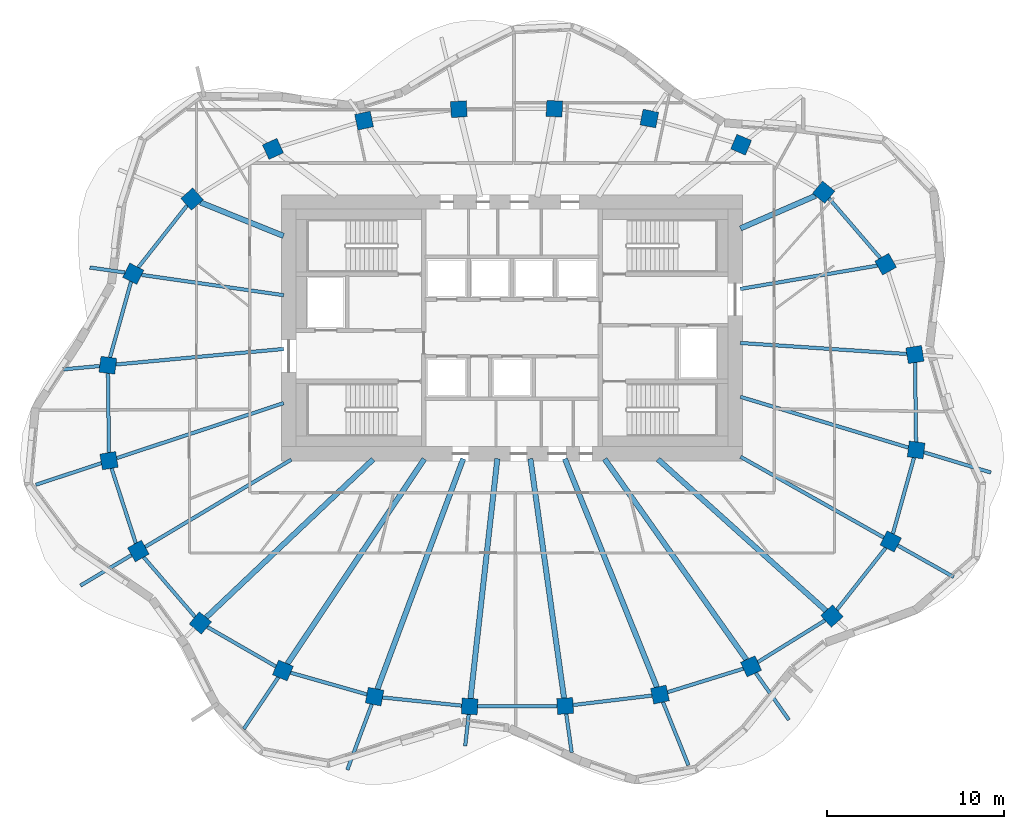
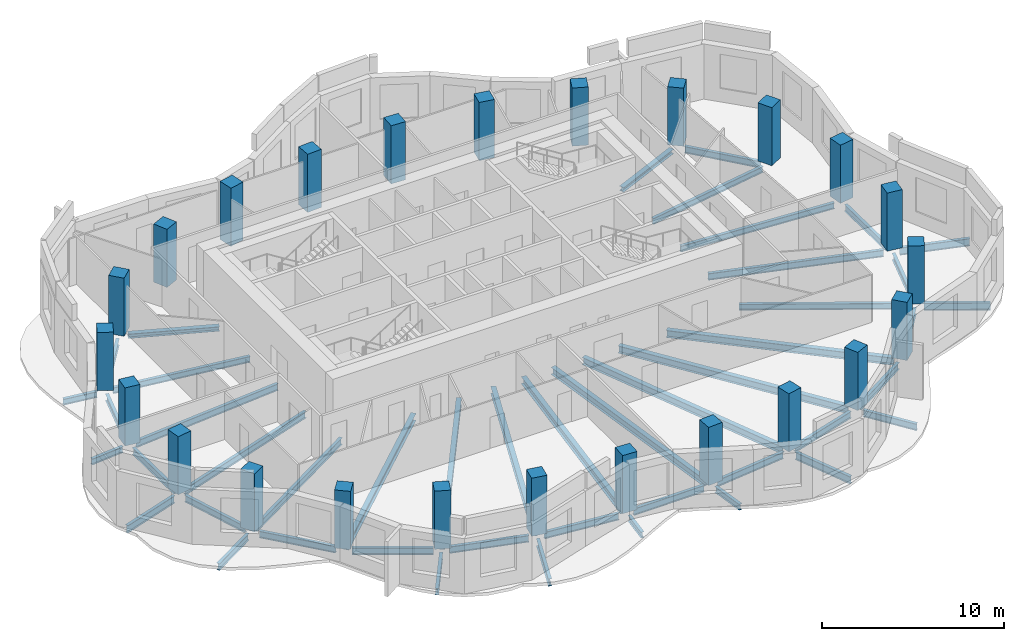
# One storey, part 1 of 9: 46 beams, 24 columns.
"""IFC4 building model written with IfcOpenShell, lengths in metres."""

import ifcopenshell
import ifcopenshell.guid

model = None  # the IFC model being written
_history = None  # IfcOwnerHistory: only IFC2X3 demands one
_inside = {}  # id of a spatial element -> (the spatial element, [elements in it])
_under = {}  # id of a project, library or spatial element -> (it, [spatial elements below it])
_declared = {}  # id of a project -> (the project, [libraries it declares])
_typed = {}  # id of a type object -> (the type object, [elements of that type])
_made_of = {}  # id of a material, layer set ... -> (it, [elements and type objects made of it])


def new_model(schema):
    """Start an empty IFC model of exactly this schema.

    Asked for "IFC4X3", IfcOpenShell would pick the latest addendum, in which some entities
    have other attributes; the version numbers below select the first issue.
    IFC2X3 requires an IfcOwnerHistory on every rooted entity: one is made here for all.
    """
    global model, _history
    if schema == "IFC4X3":
        model = ifcopenshell.file(schema_version=(4, 3, 0, 0))
    else:
        model = ifcopenshell.file(schema=schema)
    _inside.clear()
    _under.clear()
    _declared.clear()
    _typed.clear()
    _made_of.clear()
    _history = None
    if model.schema == "IFC2X3":
        org = make("IfcOrganization", Name="unknown")
        user = make(
            "IfcPersonAndOrganization",
            ThePerson=make("IfcPerson", FamilyName="unknown"),
            TheOrganization=org,
        )
        app = make(
            "IfcApplication",
            ApplicationDeveloper=org,
            Version="unknown",
            ApplicationFullName="unknown",
            ApplicationIdentifier="unknown",
        )
        _history = make(
            "IfcOwnerHistory",
            OwningUser=user,
            OwningApplication=app,
            ChangeAction="ADDED",
            CreationDate=0,
        )
    return model


def make(cls, **values):
    """One entity of the class cls with the attributes given. An attribute that is None is left unset."""
    return model.create_entity(
        cls, **{name: value for name, value in values.items() if value is not None}
    )


def rooted(cls, **values):
    """An entity with a GlobalId (a new one), such as an element, a storey or a relation."""
    return make(cls, GlobalId=ifcopenshell.guid.new(), OwnerHistory=_history, **values)


def si_unit(unit_type, name, prefix=None):
    """IfcSIUnit, for example si_unit("LENGTHUNIT", "METRE", prefix="MILLI")."""
    return make("IfcSIUnit", UnitType=unit_type, Prefix=prefix, Name=name)


def assignment(units):
    """IfcUnitAssignment: the units of a project."""
    return None if units is None else make("IfcUnitAssignment", Units=units)


def point(xyz):
    """IfcCartesianPoint."""
    return None if xyz is None else make("IfcCartesianPoint", Coordinates=xyz)


def direction(xyz):
    """IfcDirection."""
    return None if xyz is None else make("IfcDirection", DirectionRatios=xyz)


def frame(location, z_axis=None, x_axis=None):
    """IfcAxis2Placement3D, a coordinate frame: its origin and axes. An axis left out is left unset."""
    return make(
        "IfcAxis2Placement3D",
        Location=point(location),
        Axis=direction(z_axis),
        RefDirection=direction(x_axis),
    )


def frame_2d(location, x_axis=None):
    """IfcAxis2Placement2D, a coordinate frame in the plane: its origin and x axis."""
    return make(
        "IfcAxis2Placement2D", Location=point(location), RefDirection=direction(x_axis)
    )


def origin():
    """The frame at (0, 0, 0) with its axes left unset."""
    return frame((0.0, 0.0, 0.0))


def origin_2d():
    """The frame at (0, 0) in the plane with its x axis left unset."""
    return frame_2d((0.0, 0.0))


def place(relative_to, where):
    """IfcLocalPlacement: puts the frame where relative to a parent placement (None: the world)."""
    return make(
        "IfcLocalPlacement", PlacementRelTo=relative_to, RelativePlacement=where
    )


def context(
    kind, dimensions, precision=None, world=None, true_north=None, identifier=None
):
    """IfcGeometricRepresentationContext, for example the 3D "Model" context."""
    return make(
        "IfcGeometricRepresentationContext",
        ContextIdentifier=identifier,
        ContextType=kind,
        CoordinateSpaceDimension=dimensions,
        Precision=precision,
        WorldCoordinateSystem=world,
        TrueNorth=true_north,
    )


def subcontext(parent, identifier, kind, view, scale=None):
    """IfcGeometricRepresentationSubContext, for example "Body" below "Model"."""
    return make(
        "IfcGeometricRepresentationSubContext",
        ContextIdentifier=identifier,
        ContextType=kind,
        ParentContext=parent,
        TargetScale=scale,
        TargetView=view,
    )


def project(units=None, contexts=None):
    """IfcProject with its units and contexts."""
    return rooted(
        "IfcProject",
        Name="project",
        RepresentationContexts=contexts,
        UnitsInContext=assignment(units),
    )


def spatial(cls, under=None, at=None, **own):
    """A site, building, storey or space (cls), placed at a placement, below another one or the project."""
    s = rooted(cls, ObjectPlacement=at, **own)
    if under is not None:
        _under.setdefault(under.id(), (under, []))[1].append(s)
    return s


def profile(cls, at=None, kind="AREA", **sizes):
    """A parametric profile (cls). Its sizes go by their IFC names, for example OverallWidth=200.0."""
    return make(cls, ProfileType=kind, Position=at, **sizes)


def rectangle(**sizes):
    """IfcRectangleProfileDef."""
    return profile("IfcRectangleProfileDef", **sizes)


def i_section(**sizes):
    """IfcIShapeProfileDef."""
    return profile("IfcIShapeProfileDef", **sizes)


def extrude(swept, where, along, depth):
    """IfcExtrudedAreaSolid: the profile swept, set in the frame where, extruded along a direction by depth."""
    return make(
        "IfcExtrudedAreaSolid",
        SweptArea=swept,
        Position=where,
        ExtrudedDirection=direction(along),
        Depth=depth,
    )


def shape(context_of_items, identifier, shape_type, items):
    """IfcShapeRepresentation: the items that make up one representation, for example the "Body"."""
    return make(
        "IfcShapeRepresentation",
        ContextOfItems=context_of_items,
        RepresentationIdentifier=identifier,
        RepresentationType=shape_type,
        Items=items,
    )


def material(Name=None, Category=None):
    """IfcMaterial."""
    return make("IfcMaterial", Name=Name, Category=Category)


def material_profile(
    of_material, cross_section, Name=None, Category=None, Priority=None
):
    """IfcMaterialProfile: a cross section and its material."""
    return make(
        "IfcMaterialProfile",
        Name=Name,
        Material=of_material,
        Profile=cross_section,
        Priority=Priority,
        Category=Category,
    )


def profile_set(profiles, Name=None, composite=None):
    """IfcMaterialProfileSet."""
    return make(
        "IfcMaterialProfileSet",
        Name=Name,
        MaterialProfiles=profiles,
        CompositeProfile=composite,
    )


def made_of(thing, what):
    """Note that an element or type object is made of a material, layer set ...; save() writes the relation."""
    if what is not None:
        _made_of.setdefault(what.id(), (what, []))[1].append(thing)
    return thing


def type_object(cls, material=None, **own):
    """A type object (cls), such as IfcWallType, which elements share."""
    return made_of(rooted(cls, **own), material)


def element(
    cls,
    number,
    at=None,
    inside=None,
    cuts=None,
    type_object=None,
    material=None,
    context=None,
    identifier="Body",
    shape_type=None,
    held_by="IfcProductDefinitionShape",
    body=None,
    shapes=None,
    **own,
):
    """One element of the class cls, such as IfcWall. Its Tag is "e" and its number.

    at: its placement. inside: the storey or other place that contains it. cuts: it is an
    opening in that element (IfcRelVoidsElement). A single representation is given by context,
    identifier, shape_type and body (its items); several are given by shapes. held_by: the class
    of the entity that holds the representations. save() writes the other relations.
    """
    e = rooted(cls, Tag="e%d" % number, ObjectPlacement=at, **own)
    if body is not None:
        shapes = [shape(context, identifier, shape_type, body)]
    if shapes is not None:
        e.Representation = make(held_by, Representations=shapes)
    if inside is not None:
        _inside.setdefault(inside.id(), (inside, []))[1].append(e)
    if cuts is not None:
        rooted(
            "IfcRelVoidsElement", RelatingBuildingElement=cuts, RelatedOpeningElement=e
        )
    if type_object is not None:
        _typed.setdefault(type_object.id(), (type_object, []))[1].append(e)
    return made_of(e, material)


def aggregate(whole, parts):
    """IfcRelAggregates: a whole, such as a stair, and the parts it consists of."""
    return rooted("IfcRelAggregates", RelatingObject=whole, RelatedObjects=parts)


def save(model, path):
    """Write the relations noted so far, then the file.

    IfcRelAggregates (storeys below a building ...), IfcRelContainedInSpatialStructure (elements
    in a storey), IfcRelDefinesByType, IfcRelAssociatesMaterial and IfcRelDeclares: one each for
    every whole, place, type object, material and project.
    """
    for whole, parts in _under.values():
        aggregate(whole, parts)
    for where, things in _inside.values():
        rooted(
            "IfcRelContainedInSpatialStructure",
            RelatedElements=things,
            RelatingStructure=where,
        )
    for kind, things in _typed.values():
        rooted("IfcRelDefinesByType", RelatedObjects=things, RelatingType=kind)
    for what, things in _made_of.values():
        rooted("IfcRelAssociatesMaterial", RelatedObjects=things, RelatingMaterial=what)
    for by, libraries in _declared.values():
        rooted("IfcRelDeclares", RelatingContext=by, RelatedDefinitions=libraries)
    model.write(path)


model = new_model("IFC4")

# Units and contexts
model_context = context("Model", 3, precision=1e-05, world=origin(), true_north=direction((0.0, 1.0)))
body_context = subcontext(model_context, "Body", "Model", "MODEL_VIEW")
ifc_project = project(units=[si_unit("LENGTHUNIT", "METRE"), si_unit("AREAUNIT", "SQUARE_METRE"), si_unit("VOLUMEUNIT", "CUBIC_METRE"), si_unit("PLANEANGLEUNIT", "RADIAN"), si_unit("MASSUNIT", "GRAM", prefix="KILO")], contexts=[model_context])

# Site, building, storey
site_placement = place(None, origin())
site = spatial("IfcSite", under=ifc_project, at=site_placement, CompositionType="ELEMENT")
building_placement = place(site_placement, origin())
building = spatial("IfcBuilding", under=site, at=building_placement, Name="Rubra Terraces Tower", CompositionType="ELEMENT")
storey_placement = place(building_placement, frame((0.0, 0.0, 300.0)))
storey = spatial("IfcBuildingStorey", under=building, at=storey_placement, Name="L74", CompositionType="ELEMENT", Elevation=300.0)

# Columns
ifc_material_1 = material(Name="Concrete C50", Category="concrete")
ifc_material_profile_1 = material_profile(ifc_material_1, rectangle(XDim=0.89990234375, YDim=0.89990234375, at=origin_2d()), Name="RC 900x900")
ifc_profile_set_1 = profile_set([ifc_material_profile_1], Name="Concrete C50")
column_type = type_object("IfcColumnType", Name="RING COLUMN RC 900x900 C50", PredefinedType="COLUMN", material=ifc_profile_set_1)
for number, where, z_axis, x_axis, name in (
    (1, (22.73388671875, 2.992919921875, 0.0), (0.0, 0.0, 1.0), (-0.162062155721, 0.986780551938, 0.0), "column-L74-ring-01"),
    (2, (21.0810546875, 8.090087890625, 0.0), (0.0, 0.0, 1.0), (-0.490161823029, 0.8716314515, 0.0), "column-L74-ring-02"),
    (3, (17.583984375, 12.15087890625, 0.0), (0.0, 0.0, 1.0), (-0.770679191336, 0.637223339216, 0.0), "column-L74-ring-03"),
    (4, (12.927001953125, 14.83203125, 0.0), (0.0, 0.0, 1.0), (-0.92110553102, 0.389312985558, 0.0), "column-L74-ring-04"),
    (5, (7.7509765625, 16.306884765625, 0.0), (0.0, 0.0, 1.0), (-0.981936574306, 0.189210369799, 0.0), "column-L74-ring-05"),
    (6, (2.39208984375, 16.862060546875, 0.0), (0.0, 0.0, 1.0), (-0.998791416829, 0.049149828786, 0.0), "column-L74-ring-06"),
    (7, (-2.9990234375, 16.8359375, 0.0), (0.0, 0.0, 1.0), (-0.998059443319, -0.062268351524, 0.0), "column-L74-ring-07"),
    (8, (-8.346923828125, 16.19189453125, 0.0), (0.0, 0.0, 1.0), (-0.977944102772, -0.208866780156, 0.0), "column-L74-ring-08"),
    (9, (-13.487060546875, 14.595947265625, 0.0), (0.0, 0.0, 1.0), (-0.90972649622, -0.415208022652, 0.0), "column-L74-ring-09"),
    (10, (-18.051025390625, 11.762939453125, 0.0), (0.0, 0.0, 1.0), (-0.7456420961, -0.66634665492, 0.0), "column-L74-ring-10"),
    (11, (-21.366943359375, 7.553955078125, 0.0), (0.0, 0.0, 1.0), (-0.452078869866, -0.891977968013, 0.0), "column-L74-ring-11"),
    (12, (-22.802001953125, 2.388916015625, 0.0), (0.0, 0.0, 1.0), (-0.128535191473, -0.991704948336, 0.0), "column-L74-ring-12"),
    (13, (-22.73388671875, -2.992919921875, 0.0), (0.0, 0.0, 1.0), (0.162062155721, -0.986780551938, 0.0), "column-L74-ring-13"),
    (14, (-21.0810546875, -8.090087890625, 0.0), (0.0, 0.0, 1.0), (0.490161823029, -0.8716314515, 0.0), "column-L74-ring-14"),
    (15, (-17.583984375, -12.15087890625, 0.0), (0.0, 0.0, 1.0), (0.770679191336, -0.637223339216, 0.0), "column-L74-ring-15"),
    (16, (-12.927001953125, -14.83203125, 0.0), (0.0, 0.0, 1.0), (0.92110553102, -0.389312985558, 0.0), "column-L74-ring-16"),
    (17, (-7.7509765625, -16.306884765625, 0.0), (0.0, 0.0, 1.0), (0.981936574306, -0.189210369799, 0.0), "column-L74-ring-17"),
    (18, (-2.39208984375, -16.862060546875, 0.0), (0.0, 0.0, 1.0), (0.998791416829, -0.049149828786, 0.0), "column-L74-ring-18"),
    (19, (2.9990234375, -16.8359375, 0.0), (0.0, 0.0, 1.0), (0.998059443319, 0.062268351524, 0.0), "column-L74-ring-19"),
    (20, (8.346923828125, -16.19189453125, 0.0), (0.0, 0.0, 1.0), (0.977944102772, 0.208866780156, 0.0), "column-L74-ring-20"),
    (21, (13.487060546875, -14.595947265625, 0.0), (0.0, 0.0, 1.0), (0.90972649622, 0.415208022652, 0.0), "column-L74-ring-21"),
    (22, (18.051025390625, -11.762939453125, 0.0), (0.0, 0.0, 1.0), (0.7456420961, 0.66634665492, 0.0), "column-L74-ring-22"),
    (23, (21.366943359375, -7.553955078125, 0.0), (0.0, 0.0, 1.0), (0.452078869866, 0.891977968013, 0.0), "column-L74-ring-23"),
    (24, (22.802001953125, -2.388916015625, 0.0), (0.0, 0.0, 1.0), (0.128535191473, 0.991704948336, 0.0), "column-L74-ring-24"),
):
    element("IfcColumn", number, at=place(storey_placement, frame(where, z_axis=z_axis, x_axis=x_axis)), inside=storey, type_object=column_type, Name=name, PredefinedType="COLUMN", context=body_context, shape_type="SweptSolid", body=[
        extrude(rectangle(XDim=0.89990234375, YDim=0.89990234375, at=origin_2d()), origin(), (0.0, 0.0, 1.0), 3.89990234375),
    ])

# Beams
ifc_material_2 = material(Name="Steel Q355B", Category="steel")
ifc_material_profile_2 = material_profile(ifc_material_2, i_section(OverallWidth=0.199951171875, OverallDepth=0.39990234375, WebThickness=0.008056640625, FlangeThickness=0.012939453125, at=origin_2d()), Name="HN 400x200x8x13")
ifc_profile_set_2 = profile_set([ifc_material_profile_2], Name="Steel Q355B")
beam_type_1 = type_object("IfcBeamType", Name="CANTILEVER BEAM HN 400x200x8x13", PredefinedType="BEAM", material=ifc_profile_set_2)
beam_1_placement = place(storey_placement, frame((-21.8369140625, 7.62109375, -0.39990234375), z_axis=(-0.989964120176, 0.141318932785, 0.0), x_axis=(-0.141318932785, -0.989964120176, 0.0)))
element("IfcBeam", 25, at=beam_1_placement, inside=storey, type_object=beam_type_1, Name="beam-L74-cant-11", PredefinedType="BEAM", context=body_context, shape_type="SweptSolid", body=[
    extrude(i_section(OverallWidth=0.199951171875, OverallDepth=0.39990234375, WebThickness=0.008056640625, FlangeThickness=0.012939453125, at=origin_2d()), origin(), (0.0, 0.0, 1.0), 2.002197265625),
])
beam_2_placement = place(storey_placement, frame((-23.260986328125, 2.345947265625, -0.39990234375), z_axis=(-0.995758763833, -0.092002631759, 0.0), x_axis=(0.092002631759, -0.995758763833, 0.0)))
element("IfcBeam", 26, at=beam_2_placement, inside=storey, type_object=beam_type_1, Name="beam-L74-cant-12", PredefinedType="BEAM", context=body_context, shape_type="SweptSolid", body=[
    extrude(i_section(OverallWidth=0.199951171875, OverallDepth=0.39990234375, WebThickness=0.008056640625, FlangeThickness=0.012939453125, at=origin_2d()), origin(), (0.0, 0.0, 1.0), 2.085693359375),
])
beam_3_placement = place(storey_placement, frame((-2.44189453125, -17.31005859375, -0.39990234375), z_axis=(-0.111702290229, -0.99374171612, 0.0), x_axis=(0.99374171612, -0.111702290229, 0.0)))
element("IfcBeam", 27, at=beam_3_placement, inside=storey, type_object=beam_type_1, Name="beam-L74-cant-18", PredefinedType="BEAM", context=body_context, shape_type="SweptSolid", body=[
    extrude(i_section(OverallWidth=0.199951171875, OverallDepth=0.39990234375, WebThickness=0.008056640625, FlangeThickness=0.012939453125, at=origin_2d()), origin(), (0.0, 0.0, 1.0), 1.792236328125),
])
beam_4_placement = place(storey_placement, frame((3.06201171875, -17.282958984375, -0.39990234375), z_axis=(0.138898701437, -0.990306594313, 0.0), x_axis=(0.990306594313, 0.138898701437, 0.0)))
element("IfcBeam", 28, at=beam_4_placement, inside=storey, type_object=beam_type_1, Name="beam-L74-cant-19", PredefinedType="BEAM", context=body_context, shape_type="SweptSolid", body=[
    extrude(i_section(OverallWidth=0.199951171875, OverallDepth=0.39990234375, WebThickness=0.008056640625, FlangeThickness=0.012939453125, at=origin_2d()), origin(), (0.0, 0.0, 1.0), 2.1953125),
])
ifc_material_profile_3 = material_profile(ifc_material_2, i_section(OverallWidth=0.198974609375, OverallDepth=0.446044921875, WebThickness=0.008056640625, FlangeThickness=0.011962890625, at=origin_2d()), Name="HN 446x199x8x12")
ifc_profile_set_3 = profile_set([ifc_material_profile_3], Name="Steel Q355B")
beam_type_2 = type_object("IfcBeamType", Name="CANTILEVER BEAM HN 446x199x8x12", PredefinedType="BEAM", material=ifc_profile_set_3)
beam_5_placement = place(storey_placement, frame((-21.467041015625, -8.321044921875, -0.423095703125), z_axis=(-0.858537929112, -0.51275006024, 0.0), x_axis=(0.51275006024, -0.858537929112, 0.0)))
element("IfcBeam", 29, at=beam_5_placement, inside=storey, type_object=beam_type_2, Name="beam-L74-cant-14", PredefinedType="BEAM", context=body_context, shape_type="SweptSolid", body=[
    extrude(i_section(OverallWidth=0.198974609375, OverallDepth=0.446044921875, WebThickness=0.008056640625, FlangeThickness=0.011962890625, at=origin_2d()), origin(), (0.0, 0.0, 1.0), 3.3544921875),
])
beam_6_placement = place(storey_placement, frame((-13.181884765625, -15.212890625, -0.423095703125), z_axis=(-0.555983859412, -0.831193087119, 0.0), x_axis=(0.831193087119, -0.555983859412, 0.0)))
element("IfcBeam", 30, at=beam_6_placement, inside=storey, type_object=beam_type_2, Name="beam-L74-cant-16", PredefinedType="BEAM", context=body_context, shape_type="SweptSolid", body=[
    extrude(i_section(OverallWidth=0.198974609375, OverallDepth=0.446044921875, WebThickness=0.008056640625, FlangeThickness=0.011962890625, at=origin_2d()), origin(), (0.0, 0.0, 1.0), 3.509521484375),
])
beam_7_placement = place(storey_placement, frame((13.7509765625, -14.969970703125, -0.423095703125), z_axis=(0.576765924667, -0.816909461411, 0.0), x_axis=(0.816909461411, 0.576765924667, 0.0)))
element("IfcBeam", 31, at=beam_7_placement, inside=storey, type_object=beam_type_2, Name="beam-L74-cant-21", PredefinedType="BEAM", context=body_context, shape_type="SweptSolid", body=[
    extrude(i_section(OverallWidth=0.198974609375, OverallDepth=0.446044921875, WebThickness=0.008056640625, FlangeThickness=0.011962890625, at=origin_2d()), origin(), (0.0, 0.0, 1.0), 3.244140625),
])
ifc_material_profile_4 = material_profile(ifc_material_2, i_section(OverallWidth=0.198974609375, OverallDepth=0.49609375, WebThickness=0.009033203125, FlangeThickness=0.013916015625, at=origin_2d()), Name="HN 496x199x9x14")
ifc_profile_set_4 = profile_set([ifc_material_profile_4], Name="Steel Q355B")
beam_type_3 = type_object("IfcBeamType", Name="CANTILEVER BEAM HN 496x199x9x14", PredefinedType="BEAM", material=ifc_profile_set_4)
beam_8_placement = place(storey_placement, frame((-23.1669921875, -3.135986328125, -0.447998046875), z_axis=(-0.949780538411, -0.312916808201, 0.0), x_axis=(0.312916808201, -0.949780538411, 0.0)))
element("IfcBeam", 32, at=beam_8_placement, inside=storey, type_object=beam_type_3, Name="beam-L74-cant-13", PredefinedType="BEAM", context=body_context, shape_type="SweptSolid", body=[
    extrude(i_section(OverallWidth=0.198974609375, OverallDepth=0.49609375, WebThickness=0.009033203125, FlangeThickness=0.013916015625, at=origin_2d()), origin(), (0.0, 0.0, 1.0), 3.8955078125),
])
beam_9_placement = place(storey_placement, frame((-7.909912109375, -16.735107421875, -0.447998046875), z_axis=(-0.349192039845, -0.937051182865, 0.0), x_axis=(0.937051182865, -0.349192039845, 0.0)))
element("IfcBeam", 33, at=beam_9_placement, inside=storey, type_object=beam_type_3, Name="beam-L74-cant-17", PredefinedType="BEAM", context=body_context, shape_type="SweptSolid", body=[
    extrude(i_section(OverallWidth=0.198974609375, OverallDepth=0.49609375, WebThickness=0.009033203125, FlangeThickness=0.013916015625, at=origin_2d()), origin(), (0.0, 0.0, 1.0), 3.949462890625),
])
beam_10_placement = place(storey_placement, frame((8.51806640625, -16.615966796875, -0.447998046875), z_axis=(0.374086563965, -0.927393790502, 0.0), x_axis=(0.927393790502, 0.374086563965, 0.0)))
element("IfcBeam", 34, at=beam_10_placement, inside=storey, type_object=beam_type_3, Name="beam-L74-cant-20", PredefinedType="BEAM", context=body_context, shape_type="SweptSolid", body=[
    extrude(i_section(OverallWidth=0.198974609375, OverallDepth=0.49609375, WebThickness=0.009033203125, FlangeThickness=0.013916015625, at=origin_2d()), origin(), (0.0, 0.0, 1.0), 3.8388671875),
])
beam_11_placement = place(storey_placement, frame((21.759033203125, -7.77490234375, -0.447998046875), z_axis=(0.870943071103, -0.49138393024, 0.0), x_axis=(0.49138393024, 0.870943071103, 0.0)))
element("IfcBeam", 35, at=beam_11_placement, inside=storey, type_object=beam_type_3, Name="beam-L74-cant-23", PredefinedType="BEAM", context=body_context, shape_type="SweptSolid", body=[
    extrude(i_section(OverallWidth=0.198974609375, OverallDepth=0.49609375, WebThickness=0.009033203125, FlangeThickness=0.013916015625, at=origin_2d()), origin(), (0.0, 0.0, 1.0), 3.6328125),
])
beam_12_placement = place(storey_placement, frame((23.239013671875, -2.52099609375, -0.447998046875), z_axis=(0.957281879251, -0.289156365412, 0.0), x_axis=(0.289156365412, 0.957281879251, 0.0)))
element("IfcBeam", 36, at=beam_12_placement, inside=storey, type_object=beam_type_3, Name="beam-L74-cant-24", PredefinedType="BEAM", context=body_context, shape_type="SweptSolid", body=[
    extrude(i_section(OverallWidth=0.198974609375, OverallDepth=0.49609375, WebThickness=0.009033203125, FlangeThickness=0.013916015625, at=origin_2d()), origin(), (0.0, 0.0, 1.0), 3.94970703125),
])
ifc_material_profile_5 = material_profile(ifc_material_2, i_section(OverallWidth=0.300048828125, OverallDepth=0.48193359375, WebThickness=0.010986328125, FlangeThickness=0.014892578125, at=origin_2d()), Name="HM 482x300x11x15")
ifc_profile_set_5 = profile_set([ifc_material_profile_5], Name="Steel Q355B")
beam_type_4 = type_object("IfcBeamType", Name="FLOOR BEAM HM 482x300x11x15", PredefinedType="BEAM", material=ifc_profile_set_5)
beam_13_placement = place(storey_placement, frame((-17.2548828125, -11.839111328125, -0.44091796875), z_axis=(0.726101482513, 0.687587548674, 0.0), x_axis=(-0.687587548674, 0.726101482513, 0.0)))
element("IfcBeam", 37, at=beam_13_placement, inside=storey, type_object=beam_type_4, Name="beam-L74-floor-15", PredefinedType="BEAM", context=body_context, shape_type="SweptSolid", body=[
    extrude(i_section(OverallWidth=0.300048828125, OverallDepth=0.48193359375, WebThickness=0.010986328125, FlangeThickness=0.014892578125, at=origin_2d()), origin(), (0.0, 0.0, 1.0), 12.97607421875),
])
beam_14_placement = place(storey_placement, frame((-12.672119140625, -14.450927734375, -0.44091796875), z_axis=(0.55586735335, 0.831271006038, 0.0), x_axis=(-0.831271006038, 0.55586735335, 0.0)))
element("IfcBeam", 38, at=beam_14_placement, inside=storey, type_object=beam_type_4, Name="beam-L74-floor-16", PredefinedType="BEAM", context=body_context, shape_type="SweptSolid", body=[
    extrude(i_section(OverallWidth=0.300048828125, OverallDepth=0.48193359375, WebThickness=0.010986328125, FlangeThickness=0.014892578125, at=origin_2d()), origin(), (0.0, 0.0, 1.0), 13.8955078125),
])
beam_15_placement = place(storey_placement, frame((-7.592041015625, -15.87890625, -0.44091796875), z_axis=(0.349129035616, 0.937074658973, 0.0), x_axis=(-0.937074658973, 0.349129035616, 0.0)))
element("IfcBeam", 39, at=beam_15_placement, inside=storey, type_object=beam_type_4, Name="beam-L74-floor-17", PredefinedType="BEAM", context=body_context, shape_type="SweptSolid", body=[
    extrude(i_section(OverallWidth=0.300048828125, OverallDepth=0.48193359375, WebThickness=0.010986328125, FlangeThickness=0.014892578125, at=origin_2d()), origin(), (0.0, 0.0, 1.0), 13.86328125),
])
beam_16_placement = place(storey_placement, frame((-2.342041015625, -16.4140625, -0.44091796875), z_axis=(0.111334672678, 0.993782969596, 0.0), x_axis=(-0.993782969596, 0.111334672678, 0.0)))
element("IfcBeam", 40, at=beam_16_placement, inside=storey, type_object=beam_type_4, Name="beam-L74-floor-18", PredefinedType="BEAM", context=body_context, shape_type="SweptSolid", body=[
    extrude(i_section(OverallWidth=0.300048828125, OverallDepth=0.48193359375, WebThickness=0.010986328125, FlangeThickness=0.014892578125, at=origin_2d()), origin(), (0.0, 0.0, 1.0), 13.61767578125),
])
beam_17_placement = place(storey_placement, frame((2.93603515625, -16.388916015625, -0.44091796875), z_axis=(-0.139140748081, 0.990272615103, 0.0), x_axis=(-0.990272615103, -0.139140748081, 0.0)))
element("IfcBeam", 41, at=beam_17_placement, inside=storey, type_object=beam_type_4, Name="beam-L74-floor-19", PredefinedType="BEAM", context=body_context, shape_type="SweptSolid", body=[
    extrude(i_section(OverallWidth=0.300048828125, OverallDepth=0.48193359375, WebThickness=0.010986328125, FlangeThickness=0.014892578125, at=origin_2d()), origin(), (0.0, 0.0, 1.0), 13.640380859375),
])
beam_18_placement = place(storey_placement, frame((8.176025390625, -15.76806640625, -0.44091796875), z_axis=(-0.374083693877, 0.927394948215, 0.0), x_axis=(-0.927394948215, -0.374083693877, 0.0)))
element("IfcBeam", 42, at=beam_18_placement, inside=storey, type_object=beam_type_4, Name="beam-L74-floor-20", PredefinedType="BEAM", context=body_context, shape_type="SweptSolid", body=[
    extrude(i_section(OverallWidth=0.300048828125, OverallDepth=0.48193359375, WebThickness=0.010986328125, FlangeThickness=0.014892578125, at=origin_2d()), origin(), (0.0, 0.0, 1.0), 13.887451171875),
])
beam_19_placement = place(storey_placement, frame((13.222900390625, -14.221923828125, -0.44091796875), z_axis=(-0.576895514811, 0.816817950948, 0.0), x_axis=(-0.816817950948, -0.576895514811, 0.0)))
element("IfcBeam", 43, at=beam_19_placement, inside=storey, type_object=beam_type_4, Name="beam-L74-floor-21", PredefinedType="BEAM", context=body_context, shape_type="SweptSolid", body=[
    extrude(i_section(OverallWidth=0.300048828125, OverallDepth=0.48193359375, WebThickness=0.010986328125, FlangeThickness=0.014892578125, at=origin_2d()), origin(), (0.0, 0.0, 1.0), 13.8583984375),
])
beam_20_placement = place(storey_placement, frame((17.715087890625, -11.4599609375, -0.44091796875), z_axis=(-0.742980094736, 0.669313513105, 0.0), x_axis=(-0.669313513105, -0.742980094736, 0.0)))
element("IfcBeam", 44, at=beam_20_placement, inside=storey, type_object=beam_type_4, Name="beam-L74-floor-22", PredefinedType="BEAM", context=body_context, shape_type="SweptSolid", body=[
    extrude(i_section(OverallWidth=0.300048828125, OverallDepth=0.48193359375, WebThickness=0.010986328125, FlangeThickness=0.014892578125, at=origin_2d()), origin(), (0.0, 0.0, 1.0), 12.759521484375),
])
ifc_material_profile_6 = material_profile(ifc_material_2, i_section(OverallWidth=0.199951171875, OverallDepth=0.39990234375, WebThickness=0.008056640625, FlangeThickness=0.012939453125, at=origin_2d()), Name="HN 400x200x8x13")
ifc_profile_set_6 = profile_set([ifc_material_profile_6], Name="Steel Q355B")
beam_type_5 = type_object("IfcBeamType", Name="FLOOR BEAM HN 400x200x8x13", PredefinedType="BEAM", material=ifc_profile_set_6)
beam_21_placement = place(storey_placement, frame((22.27294921875, 3.02392578125, -0.39990234375), z_axis=(-0.997814209988, 0.066081785285, 0.0), x_axis=(-0.066081785285, -0.997814209988, 0.0)))
element("IfcBeam", 45, at=beam_21_placement, inside=storey, type_object=beam_type_5, Name="beam-L74-floor-01", PredefinedType="BEAM", context=body_context, shape_type="SweptSolid", body=[
    extrude(i_section(OverallWidth=0.199951171875, OverallDepth=0.39990234375, WebThickness=0.008056640625, FlangeThickness=0.012939453125, at=origin_2d()), origin(), (0.0, 0.0, 1.0), 9.41357421875),
])
beam_22_placement = place(storey_placement, frame((20.610107421875, 8.010009765625, -0.39990234375), z_axis=(-0.985810425856, -0.167862456415, 0.0), x_axis=(0.167862456415, -0.985810425856, 0.0)))
element("IfcBeam", 46, at=beam_22_placement, inside=storey, type_object=beam_type_5, Name="beam-L74-floor-02", PredefinedType="BEAM", context=body_context, shape_type="SweptSolid", body=[
    extrude(i_section(OverallWidth=0.199951171875, OverallDepth=0.39990234375, WebThickness=0.008056640625, FlangeThickness=0.012939453125, at=origin_2d()), origin(), (0.0, 0.0, 1.0), 7.83935546875),
])
beam_23_placement = place(storey_placement, frame((-20.89697265625, 7.487060546875, -0.39990234375), z_axis=(0.98993441274, -0.141526882509, 0.0), x_axis=(0.141526882509, 0.98993441274, 0.0)))
element("IfcBeam", 47, at=beam_23_placement, inside=storey, type_object=beam_type_5, Name="beam-L74-floor-11", PredefinedType="BEAM", context=body_context, shape_type="SweptSolid", body=[
    extrude(i_section(OverallWidth=0.199951171875, OverallDepth=0.39990234375, WebThickness=0.008056640625, FlangeThickness=0.012939453125, at=origin_2d()), origin(), (0.0, 0.0, 1.0), 8.097412109375),
])
beam_24_placement = place(storey_placement, frame((20.97509765625, -7.3330078125, -0.39990234375), z_axis=(-0.870973270007, 0.491330400986, 0.0), x_axis=(-0.491330400986, -0.870973270007, 0.0)))
element("IfcBeam", 48, at=beam_24_placement, inside=storey, type_object=beam_type_5, Name="beam-L74-floor-23", PredefinedType="BEAM", context=body_context, shape_type="SweptSolid", body=[
    extrude(i_section(OverallWidth=0.199951171875, OverallDepth=0.39990234375, WebThickness=0.008056640625, FlangeThickness=0.012939453125, at=origin_2d()), origin(), (0.0, 0.0, 1.0), 9.277099609375),
])
ifc_material_profile_7 = material_profile(ifc_material_2, i_section(OverallWidth=0.198974609375, OverallDepth=0.446044921875, WebThickness=0.008056640625, FlangeThickness=0.011962890625, at=origin_2d()), Name="HN 446x199x8x12")
ifc_profile_set_7 = profile_set([ifc_material_profile_7], Name="Steel Q355B")
beam_type_6 = type_object("IfcBeamType", Name="FLOOR BEAM HN 446x199x8x12", PredefinedType="BEAM", material=ifc_profile_set_7)
beam_25_placement = place(storey_placement, frame((-22.343017578125, 2.431884765625, -0.423095703125), z_axis=(0.995739538303, 0.092210475874, 0.0), x_axis=(-0.092210475874, 0.995739538303, 0.0)))
element("IfcBeam", 49, at=beam_25_placement, inside=storey, type_object=beam_type_6, Name="beam-L74-floor-12", PredefinedType="BEAM", context=body_context, shape_type="SweptSolid", body=[
    extrude(i_section(OverallWidth=0.198974609375, OverallDepth=0.446044921875, WebThickness=0.008056640625, FlangeThickness=0.011962890625, at=origin_2d()), origin(), (0.0, 0.0, 1.0), 9.50244140625),
])
beam_26_placement = place(storey_placement, frame((-22.301025390625, -2.85009765625, -0.423095703125), z_axis=(0.949746725795, 0.313019419273, 0.0), x_axis=(-0.313019419273, 0.949746725795, 0.0)))
element("IfcBeam", 50, at=beam_26_placement, inside=storey, type_object=beam_type_6, Name="beam-L74-floor-13", PredefinedType="BEAM", context=body_context, shape_type="SweptSolid", body=[
    extrude(i_section(OverallWidth=0.198974609375, OverallDepth=0.446044921875, WebThickness=0.008056640625, FlangeThickness=0.011962890625, at=origin_2d()), origin(), (0.0, 0.0, 1.0), 9.913330078125),
])
beam_27_placement = place(storey_placement, frame((-20.695068359375, -7.85888671875, -0.423095703125), z_axis=(0.858552756119, 0.512725233396, 0.0), x_axis=(-0.512725233396, 0.858552756119, 0.0)))
element("IfcBeam", 51, at=beam_27_placement, inside=storey, type_object=beam_type_6, Name="beam-L74-floor-14", PredefinedType="BEAM", context=body_context, shape_type="SweptSolid", body=[
    extrude(i_section(OverallWidth=0.198974609375, OverallDepth=0.446044921875, WebThickness=0.008056640625, FlangeThickness=0.011962890625, at=origin_2d()), origin(), (0.0, 0.0, 1.0), 9.59765625),
])
beam_28_placement = place(storey_placement, frame((22.364990234375, -2.257080078125, -0.423095703125), z_axis=(-0.957268105474, 0.289201960992, 0.0), x_axis=(-0.289201960992, -0.957268105474, 0.0)))
element("IfcBeam", 52, at=beam_28_placement, inside=storey, type_object=beam_type_6, Name="beam-L74-floor-24", PredefinedType="BEAM", context=body_context, shape_type="SweptSolid", body=[
    extrude(i_section(OverallWidth=0.198974609375, OverallDepth=0.446044921875, WebThickness=0.008056640625, FlangeThickness=0.011962890625, at=origin_2d()), origin(), (0.0, 0.0, 1.0), 9.903076171875),
])
ifc_material_profile_8 = material_profile(ifc_material_2, i_section(OverallWidth=0.304931640625, OverallDepth=0.300048828125, WebThickness=0.014892578125, FlangeThickness=0.014892578125, at=origin_2d()), Name="HW 300x305x15x15")
ifc_profile_set_8 = profile_set([ifc_material_profile_8], Name="Steel Q355B")
beam_type_7 = type_object("IfcBeamType", Name="FLOOR BEAM HW 300x305x15x15", PredefinedType="BEAM", material=ifc_profile_set_8)
beam_29_placement = place(storey_placement, frame((17.12109375, 11.949951171875, -0.35009765625), z_axis=(-0.916958146743, -0.398983404569, 0.0), x_axis=(0.398983404569, -0.916958146743, 0.0)))
element("IfcBeam", 53, at=beam_29_placement, inside=storey, type_object=beam_type_7, Name="beam-L74-floor-03", PredefinedType="BEAM", context=body_context, shape_type="SweptSolid", body=[
    extrude(i_section(OverallWidth=0.304931640625, OverallDepth=0.300048828125, WebThickness=0.014892578125, FlangeThickness=0.014892578125, at=origin_2d()), origin(), (0.0, 0.0, 1.0), 4.614501953125),
])
beam_30_placement = place(storey_placement, frame((-17.5849609375, 11.575927734375, -0.35009765625), z_axis=(0.927692985207, -0.373343977047, 0.0), x_axis=(0.373343977047, 0.927692985207, 0.0)))
element("IfcBeam", 54, at=beam_30_placement, inside=storey, type_object=beam_type_7, Name="beam-L74-floor-10", PredefinedType="BEAM", context=body_context, shape_type="SweptSolid", body=[
    extrude(i_section(OverallWidth=0.304931640625, OverallDepth=0.300048828125, WebThickness=0.014892578125, FlangeThickness=0.014892578125, at=origin_2d()), origin(), (0.0, 0.0, 1.0), 5.06201171875),
])
ifc_material_profile_9 = material_profile(ifc_material_2, i_section(OverallWidth=0.198974609375, OverallDepth=0.446044921875, WebThickness=0.008056640625, FlangeThickness=0.011962890625, at=origin_2d()), Name="HN 446x199x8x12")
ifc_profile_set_9 = profile_set([ifc_material_profile_9], Name="Steel Q355B")
beam_type_8 = type_object("IfcBeamType", Name="SPANDREL BEAM HN 446x199x8x12", PredefinedType="SPANDREL", material=ifc_profile_set_9)
beam_31_placement = place(storey_placement, frame((20.781005859375, 8.43798828125, -0.423095703125), z_axis=(-0.652473175209, 0.757811820726, 0.0), x_axis=(-0.757811820726, -0.652473175209, 0.0)))
element("IfcBeam", 55, at=beam_31_placement, inside=storey, type_object=beam_type_8, Name="beam-L74-spandrel-02", PredefinedType="SPANDREL", context=body_context, shape_type="SweptSolid", body=[
    extrude(i_section(OverallWidth=0.198974609375, OverallDepth=0.446044921875, WebThickness=0.008056640625, FlangeThickness=0.011962890625, at=origin_2d()), origin(), (0.0, 0.0, 1.0), 4.44287109375),
])
beam_32_placement = place(storey_placement, frame((-18.333984375, 11.404052734375, -0.423095703125), z_axis=(-0.61888661349, -0.785480336891, 0.0), x_axis=(0.785480336891, -0.61888661349, 0.0)))
element("IfcBeam", 56, at=beam_32_placement, inside=storey, type_object=beam_type_8, Name="beam-L74-spandrel-10", PredefinedType="SPANDREL", context=body_context, shape_type="SweptSolid", body=[
    extrude(i_section(OverallWidth=0.198974609375, OverallDepth=0.446044921875, WebThickness=0.008056640625, FlangeThickness=0.011962890625, at=origin_2d()), origin(), (0.0, 0.0, 1.0), 4.44189453125),
])
beam_33_placement = place(storey_placement, frame((-21.489990234375, 7.112060546875, -0.423095703125), z_axis=(-0.267564585696, -0.963539927809, 0.0), x_axis=(0.963539927809, -0.267564585696, 0.0)))
element("IfcBeam", 57, at=beam_33_placement, inside=storey, type_object=beam_type_8, Name="beam-L74-spandrel-11", PredefinedType="SPANDREL", context=body_context, shape_type="SweptSolid", body=[
    extrude(i_section(OverallWidth=0.198974609375, OverallDepth=0.446044921875, WebThickness=0.008056640625, FlangeThickness=0.011962890625, at=origin_2d()), origin(), (0.0, 0.0, 1.0), 4.447265625),
])
beam_34_placement = place(storey_placement, frame((-22.7958984375, 1.93408203125, -0.423095703125), z_axis=(0.01250038801, -0.999921867097, 0.0), x_axis=(0.999921867097, 0.01250038801, 0.0)))
element("IfcBeam", 58, at=beam_34_placement, inside=storey, type_object=beam_type_8, Name="beam-L74-spandrel-12", PredefinedType="SPANDREL", context=body_context, shape_type="SweptSolid", body=[
    extrude(i_section(OverallWidth=0.198974609375, OverallDepth=0.446044921875, WebThickness=0.008056640625, FlangeThickness=0.011962890625, at=origin_2d()), origin(), (0.0, 0.0, 1.0), 4.472412109375),
])
beam_35_placement = place(storey_placement, frame((-22.593994140625, -3.426025390625, -0.423095703125), z_axis=(0.308536942246, -0.951212360764, 0.0), x_axis=(0.951212360764, 0.308536942246, 0.0)))
element("IfcBeam", 59, at=beam_35_placement, inside=storey, type_object=beam_type_8, Name="beam-L74-spandrel-13", PredefinedType="SPANDREL", context=body_context, shape_type="SweptSolid", body=[
    extrude(i_section(OverallWidth=0.198974609375, OverallDepth=0.446044921875, WebThickness=0.008056640625, FlangeThickness=0.011962890625, at=origin_2d()), origin(), (0.0, 0.0, 1.0), 4.44384765625),
])
beam_36_placement = place(storey_placement, frame((-20.781005859375, -8.43798828125, -0.423095703125), z_axis=(0.652473175209, -0.757811820726, 0.0), x_axis=(0.757811820726, 0.652473175209, 0.0)))
element("IfcBeam", 60, at=beam_36_placement, inside=storey, type_object=beam_type_8, Name="beam-L74-spandrel-14", PredefinedType="SPANDREL", context=body_context, shape_type="SweptSolid", body=[
    extrude(i_section(OverallWidth=0.198974609375, OverallDepth=0.446044921875, WebThickness=0.008056640625, FlangeThickness=0.011962890625, at=origin_2d()), origin(), (0.0, 0.0, 1.0), 4.44287109375),
])
beam_37_placement = place(storey_placement, frame((-17.18798828125, -12.37890625, -0.423095703125), z_axis=(0.866616005945, -0.498975648945, 0.0), x_axis=(0.498975648945, 0.866616005945, 0.0)))
element("IfcBeam", 61, at=beam_37_placement, inside=storey, type_object=beam_type_8, Name="beam-L74-spandrel-15", PredefinedType="SPANDREL", context=body_context, shape_type="SweptSolid", body=[
    extrude(i_section(OverallWidth=0.198974609375, OverallDepth=0.446044921875, WebThickness=0.008056640625, FlangeThickness=0.011962890625, at=origin_2d()), origin(), (0.0, 0.0, 1.0), 4.463134765625),
])
beam_38_placement = place(storey_placement, frame((-12.490966796875, -14.9560546875, -0.423095703125), z_axis=(0.961713024643, -0.27405849418, 0.0), x_axis=(0.27405849418, 0.961713024643, 0.0)))
element("IfcBeam", 62, at=beam_38_placement, inside=storey, type_object=beam_type_8, Name="beam-L74-spandrel-16", PredefinedType="SPANDREL", context=body_context, shape_type="SweptSolid", body=[
    extrude(i_section(OverallWidth=0.198974609375, OverallDepth=0.446044921875, WebThickness=0.008056640625, FlangeThickness=0.011962890625, at=origin_2d()), origin(), (0.0, 0.0, 1.0), 4.477294921875),
])
beam_39_placement = place(storey_placement, frame((-7.302001953125, -16.35400390625, -0.423095703125), z_axis=(0.994684107425, -0.102973425873, 0.0), x_axis=(0.102973425873, 0.994684107425, 0.0)))
element("IfcBeam", 63, at=beam_39_placement, inside=storey, type_object=beam_type_8, Name="beam-L74-spandrel-17", PredefinedType="SPANDREL", context=body_context, shape_type="SweptSolid", body=[
    extrude(i_section(OverallWidth=0.198974609375, OverallDepth=0.446044921875, WebThickness=0.008056640625, FlangeThickness=0.011962890625, at=origin_2d()), origin(), (0.0, 0.0, 1.0), 4.48583984375),
])
beam_40_placement = place(storey_placement, frame((-1.94091796875, -16.860107421875, -0.423095703125), z_axis=(0.999987753188, 0.004949088244, 0.0), x_axis=(-0.004949088244, 0.999987753188, 0.0)))
element("IfcBeam", 64, at=beam_40_placement, inside=storey, type_object=beam_type_8, Name="beam-L74-spandrel-18", PredefinedType="SPANDREL", context=body_context, shape_type="SweptSolid", body=[
    extrude(i_section(OverallWidth=0.198974609375, OverallDepth=0.446044921875, WebThickness=0.008056640625, FlangeThickness=0.011962890625, at=origin_2d()), origin(), (0.0, 0.0, 1.0), 4.489013671875),
])
beam_41_placement = place(storey_placement, frame((3.447021484375, -16.781982421875, -0.423095703125), z_axis=(0.992829862118, 0.119536040116, 0.0), x_axis=(-0.119536040116, 0.992829862118, 0.0)))
element("IfcBeam", 65, at=beam_41_placement, inside=storey, type_object=beam_type_8, Name="beam-L74-spandrel-19", PredefinedType="SPANDREL", context=body_context, shape_type="SweptSolid", body=[
    extrude(i_section(OverallWidth=0.198974609375, OverallDepth=0.446044921875, WebThickness=0.008056640625, FlangeThickness=0.011962890625, at=origin_2d()), origin(), (0.0, 0.0, 1.0), 4.483154296875),
])
beam_42_placement = place(storey_placement, frame((8.779052734375, -16.05810546875, -0.423095703125), z_axis=(0.955035382264, 0.296491852541, 0.0), x_axis=(-0.296491852541, 0.955035382264, 0.0)))
element("IfcBeam", 66, at=beam_42_placement, inside=storey, type_object=beam_type_8, Name="beam-L74-spandrel-20", PredefinedType="SPANDREL", context=body_context, shape_type="SweptSolid", body=[
    extrude(i_section(OverallWidth=0.198974609375, OverallDepth=0.446044921875, WebThickness=0.008056640625, FlangeThickness=0.011962890625, at=origin_2d()), origin(), (0.0, 0.0, 1.0), 4.47607421875),
])
beam_43_placement = place(storey_placement, frame((13.8720703125, -14.35693359375, -0.423095703125), z_axis=(0.849641857012, 0.527360137679, 0.0), x_axis=(-0.527360137679, 0.849641857012, 0.0)))
element("IfcBeam", 67, at=beam_43_placement, inside=storey, type_object=beam_type_8, Name="beam-L74-spandrel-21", PredefinedType="SPANDREL", context=body_context, shape_type="SweptSolid", body=[
    extrude(i_section(OverallWidth=0.198974609375, OverallDepth=0.446044921875, WebThickness=0.008056640625, FlangeThickness=0.011962890625, at=origin_2d()), origin(), (0.0, 0.0, 1.0), 4.4619140625),
])
beam_44_placement = place(storey_placement, frame((18.333984375, -11.404052734375, -0.423095703125), z_axis=(0.61888661349, 0.785480336891, 0.0), x_axis=(-0.785480336891, 0.61888661349, 0.0)))
element("IfcBeam", 68, at=beam_44_placement, inside=storey, type_object=beam_type_8, Name="beam-L74-spandrel-22", PredefinedType="SPANDREL", context=body_context, shape_type="SweptSolid", body=[
    extrude(i_section(OverallWidth=0.198974609375, OverallDepth=0.446044921875, WebThickness=0.008056640625, FlangeThickness=0.011962890625, at=origin_2d()), origin(), (0.0, 0.0, 1.0), 4.44189453125),
])
beam_45_placement = place(storey_placement, frame((21.489990234375, -7.112060546875, -0.423095703125), z_axis=(0.267564585696, 0.963539927809, 0.0), x_axis=(-0.963539927809, 0.267564585696, 0.0)))
element("IfcBeam", 69, at=beam_45_placement, inside=storey, type_object=beam_type_8, Name="beam-L74-spandrel-23", PredefinedType="SPANDREL", context=body_context, shape_type="SweptSolid", body=[
    extrude(i_section(OverallWidth=0.198974609375, OverallDepth=0.446044921875, WebThickness=0.008056640625, FlangeThickness=0.011962890625, at=origin_2d()), origin(), (0.0, 0.0, 1.0), 4.447265625),
])
beam_46_placement = place(storey_placement, frame((22.7958984375, -1.93408203125, -0.423095703125), z_axis=(-0.01250038801, 0.999921867097, 0.0), x_axis=(-0.999921867097, -0.01250038801, 0.0)))
element("IfcBeam", 70, at=beam_46_placement, inside=storey, type_object=beam_type_8, Name="beam-L74-spandrel-24", PredefinedType="SPANDREL", context=body_context, shape_type="SweptSolid", body=[
    extrude(i_section(OverallWidth=0.198974609375, OverallDepth=0.446044921875, WebThickness=0.008056640625, FlangeThickness=0.011962890625, at=origin_2d()), origin(), (0.0, 0.0, 1.0), 4.472412109375),
])

save(model, "model.ifc")
